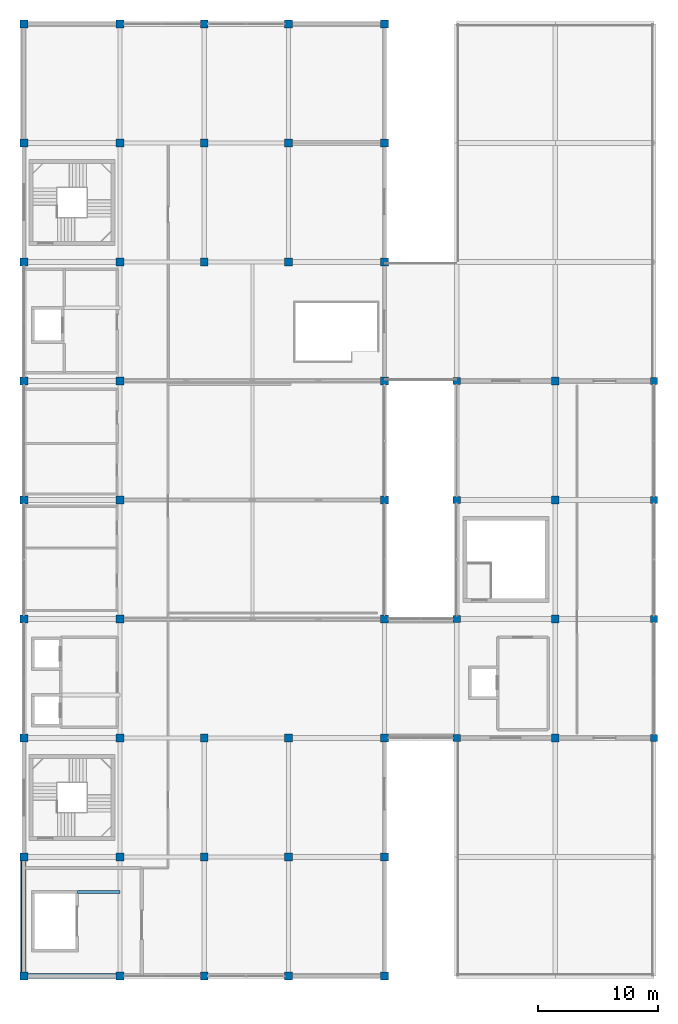
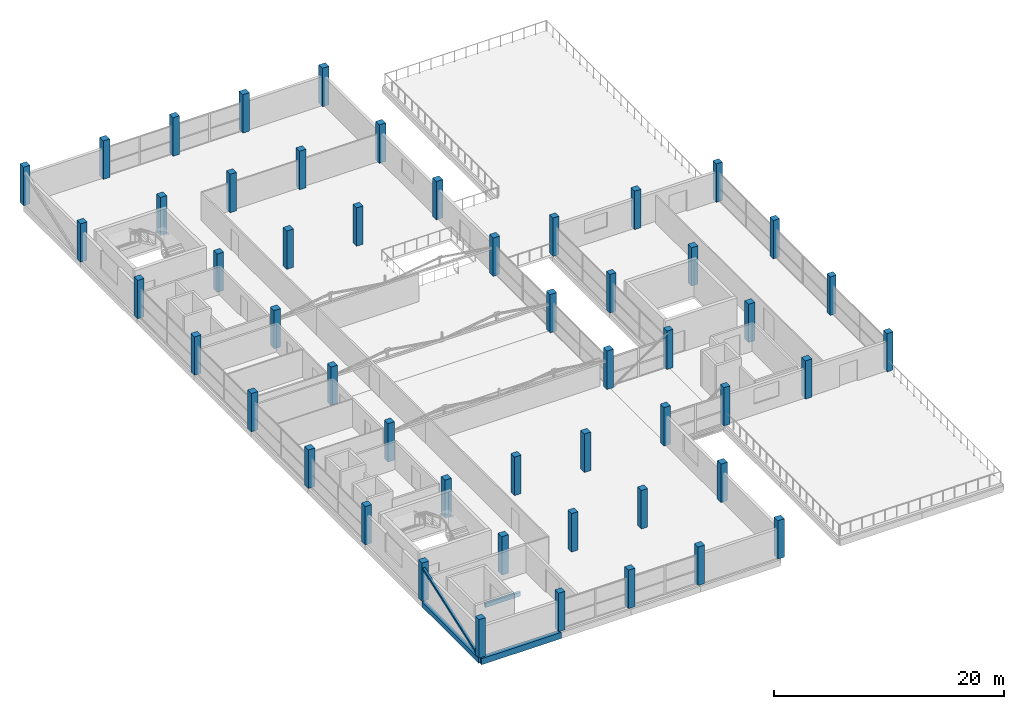
# One storey, part 1 of 53: 51 columns, 3 beams, 1 member.
"""IFC4 building model written with IfcOpenShell, lengths in metres."""

from ifc_helpers import new_model, si_unit, direction, frame, origin, origin_2d, place, context, subcontext, project, spatial, rectangle, hollow_rectangle, extrude, material, material_profile, profile_set, type_object, element, save


model = new_model("IFC4")

# Units and contexts
model_context = context("Model", 3, precision=1e-05, world=origin(), true_north=direction((0.0, 1.0)))
body_context = subcontext(model_context, "Body", "Model", "MODEL_VIEW")
ifc_project = project(units=[si_unit("LENGTHUNIT", "METRE"), si_unit("AREAUNIT", "SQUARE_METRE"), si_unit("VOLUMEUNIT", "CUBIC_METRE"), si_unit("PLANEANGLEUNIT", "RADIAN"), si_unit("MASSUNIT", "GRAM", prefix="KILO")], contexts=[model_context])

# Site, building, storey
site_placement = place(None, origin())
site = spatial("IfcSite", under=ifc_project, at=site_placement, CompositionType="ELEMENT")
building_placement = place(site_placement, origin())
building = spatial("IfcBuilding", under=site, at=building_placement, Name="Sillaruma Civic Art Gallery", CompositionType="ELEMENT")
storey_placement = place(building_placement, frame((0.0, 0.0, 70.3798828125)))
storey = spatial("IfcBuildingStorey", under=building, at=storey_placement, Name="L14", CompositionType="ELEMENT", Elevation=70.3798828125)

# Columns
ifc_material_1 = material(Name="Concrete H40 (40 MPa)", Category="concrete")
ifc_material_profile_1 = material_profile(ifc_material_1, rectangle(XDim=0.60009765625, YDim=0.60009765625, at=origin_2d()), Name="RC600x600")
ifc_profile_set_1 = profile_set([ifc_material_profile_1], Name="Concrete H40 (40 MPa)")
column_type_1 = type_object("IfcColumnType", Name="COL-COLUMN-RC600x600", PredefinedType="COLUMN", material=ifc_profile_set_1)
for number, where, z_axis, x_axis, name in (
    (1, (98.0, 39.60009765625, 0.0), (0.0, 0.0, 1.0), (1.0, 0.0, 0.0), "Column C-08 (L14:L5)"),
    (2, (98.0, 49.5, 0.0), (0.0, 0.0, 1.0), (1.0, 0.0, 0.0), "Column C-08 (L14:L6)"),
    (3, (98.0, 59.39990234375, 0.0), (0.0, 0.0, 1.0), (1.0, 0.0, 0.0), "Column C-08 (L14:L7)"),
    (4, (98.0, 69.300048828125, 0.0), (0.0, 0.0, 1.0), (1.0, 0.0, 0.0), "Column C-08 (L14:L8)"),
    (5, (114.39990234375, 39.60009765625, 0.0), (0.0, 0.0, 1.0), (1.0, 0.0, 0.0), "Column C-08 (L14:N5)"),
    (6, (114.39990234375, 49.5, 0.0), (0.0, 0.0, 1.0), (1.0, 0.0, 0.0), "Column C-08 (L14:N6)"),
    (7, (114.39990234375, 59.39990234375, 0.0), (0.0, 0.0, 1.0), (1.0, 0.0, 0.0), "Column C-08 (L14:N7)"),
    (8, (114.39990234375, 69.300048828125, 0.0), (0.0, 0.0, 1.0), (1.0, 0.0, 0.0), "Column C-08 (L14:N8)"),
):
    element("IfcColumn", number, at=place(storey_placement, frame(where, z_axis=z_axis, x_axis=x_axis)), inside=storey, type_object=column_type_1, Name=name, PredefinedType="COLUMN", context=body_context, shape_type="SweptSolid", body=[
        extrude(rectangle(XDim=0.60009765625, YDim=0.60009765625, at=origin_2d()), origin(), (0.0, 0.0, 1.0), 4.080078125),
    ])
ifc_material_profile_2 = material_profile(ifc_material_1, rectangle(XDim=0.64990234375, YDim=0.64990234375, at=origin_2d()), Name="RC650x650")
ifc_profile_set_2 = profile_set([ifc_material_profile_2], Name="Concrete H40 (40 MPa)")
column_type_2 = type_object("IfcColumnType", Name="COL-COLUMN-RC650x650", PredefinedType="COLUMN", material=ifc_profile_set_2)
for number, where, z_axis, x_axis, name in (
    (9, (62.0, 19.800048828125, 0.0), (0.0, 0.0, 1.0), (1.0, 0.0, 0.0), "Column C-07 (L14:F3)"),
    (10, (62.0, 29.699951171875, 0.0), (0.0, 0.0, 1.0), (1.0, 0.0, 0.0), "Column C-07 (L14:F4)"),
    (11, (62.0, 39.60009765625, 0.0), (0.0, 0.0, 1.0), (1.0, 0.0, 0.0), "Column C-07 (L14:F5)"),
    (12, (62.0, 49.5, 0.0), (0.0, 0.0, 1.0), (1.0, 0.0, 0.0), "Column C-07 (L14:F6)"),
    (13, (62.0, 59.39990234375, 0.0), (0.0, 0.0, 1.0), (1.0, 0.0, 0.0), "Column C-07 (L14:F7)"),
    (14, (62.0, 69.300048828125, 0.0), (0.0, 0.0, 1.0), (1.0, 0.0, 0.0), "Column C-07 (L14:F8)"),
    (15, (62.0, 79.199951171875, 0.0), (0.0, 0.0, 1.0), (1.0, 0.0, 0.0), "Column C-07 (L14:F9)"),
    (16, (62.0, 89.10009765625, 0.0), (0.0, 0.0, 1.0), (1.0, 0.0, 0.0), "Column C-07 (L14:F10)"),
    (17, (62.0, 99.0, 0.0), (0.0, 0.0, 1.0), (1.0, 0.0, 0.0), "Column C-07 (L14:F11)"),
    (18, (70.0, 19.800048828125, 0.0), (0.0, 0.0, 1.0), (1.0, 0.0, 0.0), "Column C-07 (L14:G3)"),
    (19, (70.0, 29.699951171875, 0.0), (0.0, 0.0, 1.0), (1.0, 0.0, 0.0), "Column C-07 (L14:G4)"),
    (20, (70.0, 39.60009765625, 0.0), (0.0, 0.0, 1.0), (1.0, 0.0, 0.0), "Column C-07 (L14:G5)"),
    (21, (70.0, 49.5, 0.0), (0.0, 0.0, 1.0), (1.0, 0.0, 0.0), "Column C-07 (L14:G6)"),
    (22, (70.0, 59.39990234375, 0.0), (0.0, 0.0, 1.0), (1.0, 0.0, 0.0), "Column C-07 (L14:G7)"),
    (23, (70.0, 69.300048828125, 0.0), (0.0, 0.0, 1.0), (1.0, 0.0, 0.0), "Column C-07 (L14:G8)"),
    (24, (70.0, 79.199951171875, 0.0), (0.0, 0.0, 1.0), (1.0, 0.0, 0.0), "Column C-07 (L14:G9)"),
    (25, (70.0, 89.10009765625, 0.0), (0.0, 0.0, 1.0), (1.0, 0.0, 0.0), "Column C-07 (L14:G10)"),
    (26, (70.0, 99.0, 0.0), (0.0, 0.0, 1.0), (1.0, 0.0, 0.0), "Column C-07 (L14:G11)"),
    (27, (77.0, 19.800048828125, 0.0), (0.0, 0.0, 1.0), (1.0, 0.0, 0.0), "Column C-07 (L14:H3)"),
    (28, (77.0, 29.699951171875, 0.0), (0.0, 0.0, 1.0), (1.0, 0.0, 0.0), "Column C-07 (L14:H4)"),
    (29, (77.0, 39.60009765625, 0.0), (0.0, 0.0, 1.0), (1.0, 0.0, 0.0), "Column C-07 (L14:H5)"),
    (30, (77.0, 79.199951171875, 0.0), (0.0, 0.0, 1.0), (1.0, 0.0, 0.0), "Column C-07 (L14:H9)"),
    (31, (77.0, 89.10009765625, 0.0), (0.0, 0.0, 1.0), (1.0, 0.0, 0.0), "Column C-07 (L14:H10)"),
    (32, (77.0, 99.0, 0.0), (0.0, 0.0, 1.0), (1.0, 0.0, 0.0), "Column C-07 (L14:H11)"),
    (33, (84.0, 19.800048828125, 0.0), (0.0, 0.0, 1.0), (1.0, 0.0, 0.0), "Column C-07 (L14:J3)"),
    (34, (84.0, 29.699951171875, 0.0), (0.0, 0.0, 1.0), (1.0, 0.0, 0.0), "Column C-07 (L14:J4)"),
    (35, (84.0, 39.60009765625, 0.0), (0.0, 0.0, 1.0), (1.0, 0.0, 0.0), "Column C-07 (L14:J5)"),
    (36, (84.0, 79.199951171875, 0.0), (0.0, 0.0, 1.0), (1.0, 0.0, 0.0), "Column C-07 (L14:J9)"),
    (37, (84.0, 89.10009765625, 0.0), (0.0, 0.0, 1.0), (1.0, 0.0, 0.0), "Column C-07 (L14:J10)"),
    (38, (84.0, 99.0, 0.0), (0.0, 0.0, 1.0), (1.0, 0.0, 0.0), "Column C-07 (L14:J11)"),
    (39, (92.0, 19.800048828125, 0.0), (0.0, 0.0, 1.0), (1.0, 0.0, 0.0), "Column C-07 (L14:K3)"),
    (40, (92.0, 29.699951171875, 0.0), (0.0, 0.0, 1.0), (1.0, 0.0, 0.0), "Column C-07 (L14:K4)"),
    (41, (92.0, 39.60009765625, 0.0), (0.0, 0.0, 1.0), (1.0, 0.0, 0.0), "Column C-07 (L14:K5)"),
    (42, (92.0, 49.5, 0.0), (0.0, 0.0, 1.0), (1.0, 0.0, 0.0), "Column C-07 (L14:K6)"),
    (43, (92.0, 59.39990234375, 0.0), (0.0, 0.0, 1.0), (1.0, 0.0, 0.0), "Column C-07 (L14:K7)"),
    (44, (92.0, 69.300048828125, 0.0), (0.0, 0.0, 1.0), (1.0, 0.0, 0.0), "Column C-07 (L14:K8)"),
    (45, (92.0, 79.199951171875, 0.0), (0.0, 0.0, 1.0), (1.0, 0.0, 0.0), "Column C-07 (L14:K9)"),
    (46, (92.0, 89.10009765625, 0.0), (0.0, 0.0, 1.0), (1.0, 0.0, 0.0), "Column C-07 (L14:K10)"),
    (47, (92.0, 99.0, 0.0), (0.0, 0.0, 1.0), (1.0, 0.0, 0.0), "Column C-07 (L14:K11)"),
    (48, (106.199951171875, 39.60009765625, 0.0), (0.0, 0.0, 1.0), (1.0, 0.0, 0.0), "Column C-07 (L14:M5)"),
    (49, (106.199951171875, 49.5, 0.0), (0.0, 0.0, 1.0), (1.0, 0.0, 0.0), "Column C-07 (L14:M6)"),
    (50, (106.199951171875, 59.39990234375, 0.0), (0.0, 0.0, 1.0), (1.0, 0.0, 0.0), "Column C-07 (L14:M7)"),
    (51, (106.199951171875, 69.300048828125, 0.0), (0.0, 0.0, 1.0), (1.0, 0.0, 0.0), "Column C-07 (L14:M8)"),
):
    element("IfcColumn", number, at=place(storey_placement, frame(where, z_axis=z_axis, x_axis=x_axis)), inside=storey, type_object=column_type_2, Name=name, PredefinedType="COLUMN", context=body_context, shape_type="SweptSolid", body=[
        extrude(rectangle(XDim=0.64990234375, YDim=0.64990234375, at=origin_2d()), origin(), (0.0, 0.0, 1.0), 4.080078125),
    ])

# Beams
ifc_material_2 = material(Name="Concrete H35 (35 MPa)", Category="concrete")
ifc_material_profile_3 = material_profile(ifc_material_2, rectangle(XDim=0.260009765625, YDim=0.419921875, at=origin_2d()), Name="RCB260x420")
ifc_profile_set_3 = profile_set([ifc_material_profile_3], Name="Concrete H35 (35 MPa)")
beam_type_1 = type_object("IfcBeamType", Name="BM-LINTEL-RCB260x420", PredefinedType="LINTEL", material=ifc_profile_set_3)
beam_1_placement = place(storey_placement, frame((66.449951171875, 26.780029296875, -0.4599609375), z_axis=(1.0, 0.0, 0.0), x_axis=(0.0, 1.0, 0.0)))
element("IfcBeam", 52, at=beam_1_placement, inside=storey, type_object=beam_type_1, Name="Core Portal Coupling Lintel BL-02 (L13:GL1)", PredefinedType="LINTEL", context=body_context, shape_type="SweptSolid", body=[
    extrude(rectangle(XDim=0.260009765625, YDim=0.419921875, at=origin_2d()), origin(), (0.0, 0.0, 1.0), 3.550048828125),
])
ifc_material_profile_4 = material_profile(ifc_material_2, rectangle(XDim=0.35009765625, YDim=0.550048828125, at=origin_2d()), Name="RCB350x550")
ifc_profile_set_4 = profile_set([ifc_material_profile_4], Name="Concrete H35 (35 MPa)")
beam_type_2 = type_object("IfcBeamType", Name="BM-SPANDREL-RCB350x550", PredefinedType="SPANDREL", material=ifc_profile_set_4)
beam_2_placement = place(storey_placement, frame((62.0, 19.800048828125, -0.52490234375), z_axis=(0.0, 1.0, 0.0), x_axis=(-1.0, 0.0, 0.0)))
element("IfcBeam", 53, at=beam_2_placement, inside=storey, type_object=beam_type_2, Name="Beam BS-04 (L13:F:3-4)", PredefinedType="SPANDREL", context=body_context, shape_type="SweptSolid", body=[
    extrude(rectangle(XDim=0.35009765625, YDim=0.550048828125, at=origin_2d()), origin(), (0.0, 0.0, 1.0), 9.89990234375),
])
ifc_material_profile_5 = material_profile(ifc_material_2, rectangle(XDim=0.39990234375, YDim=0.64990234375, at=origin_2d()), Name="RCB400x650")
ifc_profile_set_5 = profile_set([ifc_material_profile_5], Name="Concrete H35 (35 MPa)")
beam_type_3 = type_object("IfcBeamType", Name="BM-SPANDREL-RCB400x650", PredefinedType="SPANDREL", material=ifc_profile_set_5)
beam_3_placement = place(storey_placement, frame((62.0, 19.800048828125, -0.574951171875), z_axis=(1.0, 0.0, 0.0), x_axis=(0.0, 1.0, 0.0)))
element("IfcBeam", 54, at=beam_3_placement, inside=storey, type_object=beam_type_3, Name="Beam BS-02 (L13:3:F-G)", PredefinedType="SPANDREL", context=body_context, shape_type="SweptSolid", body=[
    extrude(rectangle(XDim=0.39990234375, YDim=0.64990234375, at=origin_2d()), origin(), (0.0, 0.0, 1.0), 8.0),
])

# Member
ifc_material_3 = material(Name="Structural Steel ASTM A500 Gr.C", Category="steel")
ifc_material_profile_6 = material_profile(ifc_material_3, hollow_rectangle(XDim=0.25, YDim=0.25, WallThickness=0.012451171875, InnerFilletRadius=0.012451171875, OuterFilletRadius=0.02490234375, at=origin_2d()), Name="HSS250x250x12.5")
ifc_profile_set_6 = profile_set([ifc_material_profile_6], Name="Structural Steel ASTM A500 Gr.C")
member_type = type_object("IfcMemberType", Name="MEM-MEGA-BRACE", PredefinedType="BRACE", material=ifc_profile_set_6)
member_placement = place(storey_placement, frame((61.85009765625, 19.97998046875, 0.10009765625), z_axis=(0.0, 0.942584834579, 0.33396680916), x_axis=(-1.0, 0.0, 0.0)))
element("IfcMember", 55, at=member_placement, inside=storey, type_object=member_type, Name="Exterior Expressed Gallery Seismic Diagonal Brace (L14-WS)", PredefinedType="BRACE", context=body_context, shape_type="SweptSolid", body=[
    extrude(hollow_rectangle(XDim=0.25, YDim=0.25, WallThickness=0.012451171875, InnerFilletRadius=0.012451171875, OuterFilletRadius=0.02490234375, at=origin_2d()), origin(), (0.0, 0.0, 1.0), 10.12109375),
])

save(model, "model.ifc")
